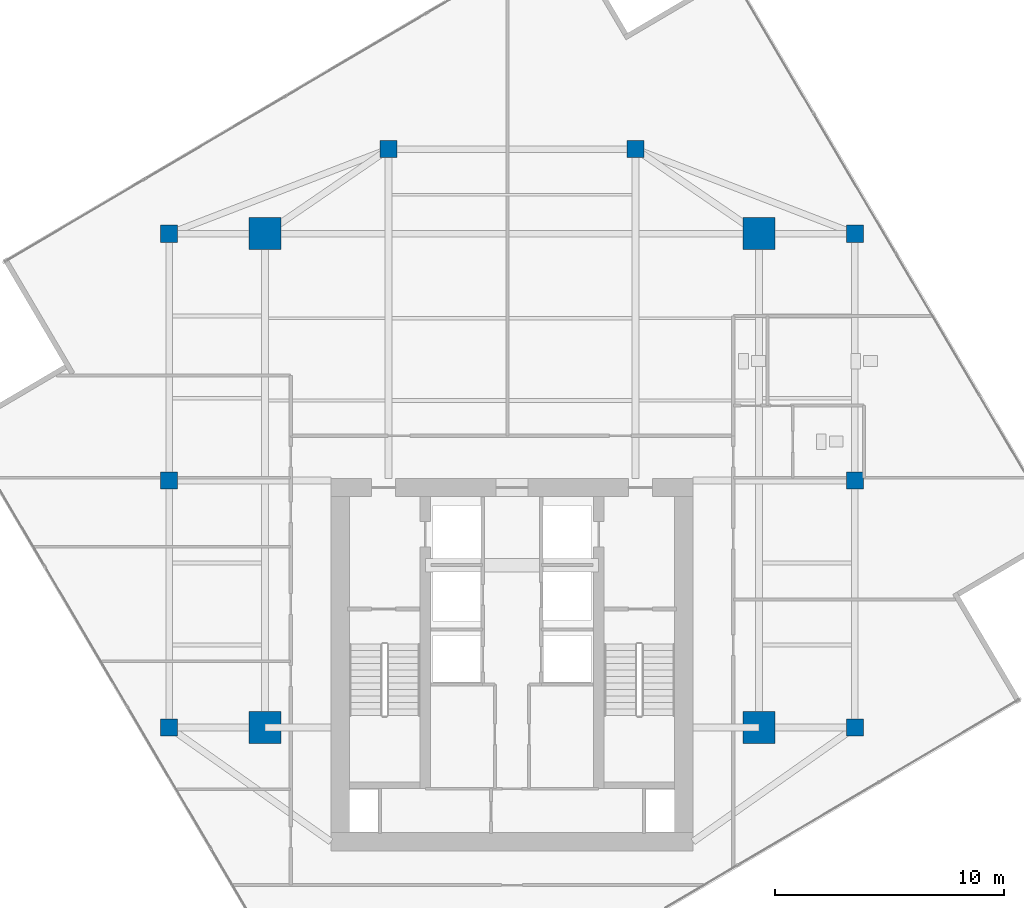
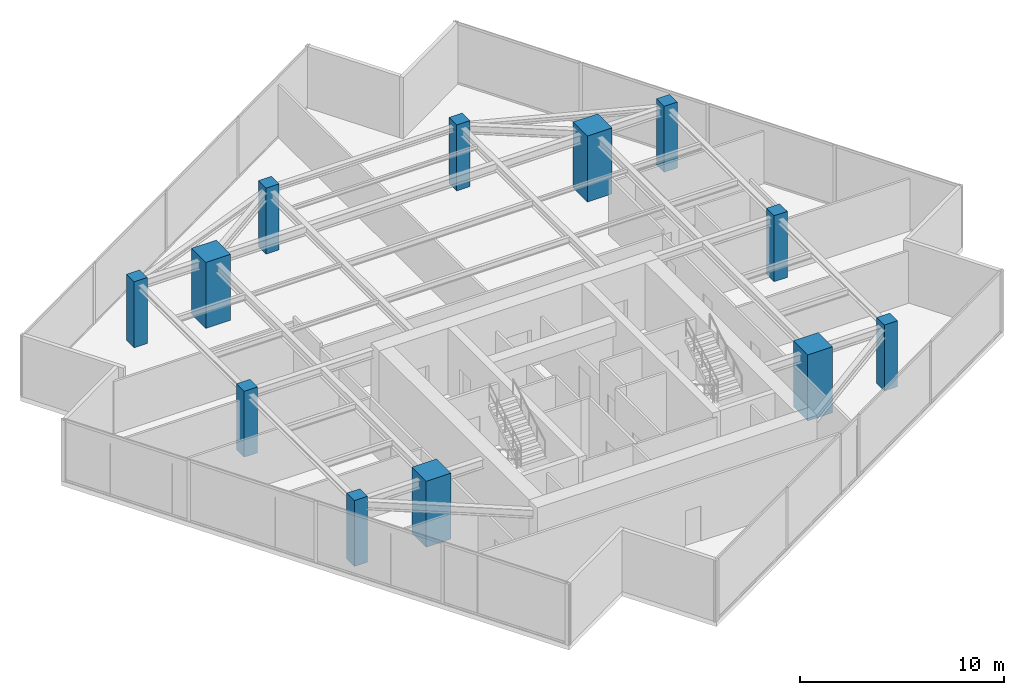
# One storey, part 1 of 20: 12 columns.
"""IFC4 building model written with IfcOpenShell, lengths in metres."""

from ifc_helpers import new_model, si_unit, direction, frame, origin, origin_2d, place, context, subcontext, project, spatial, rectangle, extrude, source, transform, mapped, material, material_profile, profile_set, type_object, type_shapes, element, save


model = new_model("IFC4")

# Units and contexts
model_context = context("Model", 3, precision=1e-05, world=origin(), true_north=direction((0.0, 1.0)))
body_context = subcontext(model_context, "Body", "Model", "MODEL_VIEW")
ifc_project = project(units=[si_unit("LENGTHUNIT", "METRE"), si_unit("AREAUNIT", "SQUARE_METRE"), si_unit("VOLUMEUNIT", "CUBIC_METRE"), si_unit("PLANEANGLEUNIT", "RADIAN"), si_unit("MASSUNIT", "GRAM", prefix="KILO")], contexts=[model_context])

# Site, building, storey
site_placement = place(None, origin())
site = spatial("IfcSite", under=ifc_project, at=site_placement, CompositionType="ELEMENT")
building_placement = place(site_placement, origin())
building = spatial("IfcBuilding", under=site, at=building_placement, Name="Krantzveldt Concourse Tower", CompositionType="ELEMENT")
storey_placement = place(building_placement, frame((0.0, 0.0, 295.050048828125)))
storey = spatial("IfcBuildingStorey", under=building, at=storey_placement, Name="L72", CompositionType="ELEMENT", Elevation=295.050048828125)

# Columns
ifc_material = material(Name="Concrete C50/60", Category="concrete")
ifc_material_profile_1 = material_profile(ifc_material, rectangle(XDim=1.39990234375, YDim=1.39990234375, at=origin_2d()), Name="Concrete C50/60", Category="concrete")
ifc_profile_set_1 = profile_set([ifc_material_profile_1], Name="Concrete C50/60 - RC 1400x1400")
column_type_1 = type_object("IfcColumnType", Name="COL-MC-1400", PredefinedType="USERDEFINED", material=ifc_profile_set_1)
shared_shape_1 = source(origin(), body_context, "Body", "SweptSolid", [
    extrude(rectangle(XDim=1.39990234375, YDim=1.39990234375, at=origin_2d()), origin(), (0.0, 0.0, 1.0), 3.949951171875),
])
type_shapes(column_type_1, [shared_shape_1])
for number, where, z_axis, x_axis, name in (
    (1, (25.199951171875, 15.89990234375, 0.0), (0.0, 0.0, 1.0), (1.0, 0.0, 0.0), "MC-SW-L72"),
    (2, (46.800048828125, 15.89990234375, 0.0), (0.0, 0.0, 1.0), (1.0, 0.0, 0.0), "MC-SE-L72"),
    (3, (46.800048828125, 37.5, 0.0), (0.0, 0.0, 1.0), (1.0, 0.0, 0.0), "MC-NE-L72"),
    (4, (25.199951171875, 37.5, 0.0), (0.0, 0.0, 1.0), (1.0, 0.0, 0.0), "MC-NW-L72"),
):
    element("IfcColumn", number, at=place(storey_placement, frame(where, z_axis=z_axis, x_axis=x_axis)), inside=storey, type_object=column_type_1, Name=name, ObjectType="MEGA COLUMN", PredefinedType="USERDEFINED", context=body_context, shape_type="MappedRepresentation", body=[
        mapped(shared_shape_1, transform((0.0, 0.0, 0.0), x_axis=(1.0, 0.0, 0.0), y_axis=(0.0, 1.0, 0.0), z_axis=(0.0, 0.0, 1.0), scale=1.0)),
    ])
ifc_material_profile_2 = material_profile(ifc_material, rectangle(XDim=0.75, YDim=0.75, at=origin_2d()), Name="Concrete C50/60", Category="concrete")
ifc_profile_set_2 = profile_set([ifc_material_profile_2], Name="Concrete C50/60 - RC 750x750")
column_type_2 = type_object("IfcColumnType", Name="COL-C-Z5", PredefinedType="COLUMN", material=ifc_profile_set_2)
shared_shape_2 = source(origin(), body_context, "Body", "SweptSolid", [
    extrude(rectangle(XDim=0.75, YDim=0.75, at=origin_2d()), origin(), (0.0, 0.0, 1.0), 3.949951171875),
])
type_shapes(column_type_2, [shared_shape_2])
for number, where, z_axis, x_axis, name in (
    (5, (21.0, 15.89990234375, 0.0), (0.0, 0.0, 1.0), (1.0, 0.0, 0.0), "PC-R01-L72"),
    (6, (21.0, 26.699951171875, 0.0), (0.0, 0.0, 1.0), (1.0, 0.0, 0.0), "PC-R02-L72"),
    (7, (21.0, 37.5, 0.0), (0.0, 0.0, 1.0), (1.0, 0.0, 0.0), "PC-R03-L72"),
    (8, (30.60009765625, 41.199951171875, 0.0), (0.0, 0.0, 1.0), (1.0, 0.0, 0.0), "PC-R04-L72"),
    (9, (41.39990234375, 41.199951171875, 0.0), (0.0, 0.0, 1.0), (1.0, 0.0, 0.0), "PC-R05-L72"),
    (10, (51.0, 37.5, 0.0), (0.0, 0.0, 1.0), (1.0, 0.0, 0.0), "PC-R06-L72"),
    (11, (51.0, 26.699951171875, 0.0), (0.0, 0.0, 1.0), (1.0, 0.0, 0.0), "PC-R07-L72"),
    (12, (51.0, 15.89990234375, 0.0), (0.0, 0.0, 1.0), (1.0, 0.0, 0.0), "PC-R08-L72"),
):
    element("IfcColumn", number, at=place(storey_placement, frame(where, z_axis=z_axis, x_axis=x_axis)), inside=storey, type_object=column_type_2, Name=name, PredefinedType="COLUMN", context=body_context, shape_type="MappedRepresentation", body=[
        mapped(shared_shape_2, transform((0.0, 0.0, 0.0), x_axis=(1.0, 0.0, 0.0), y_axis=(0.0, 1.0, 0.0), z_axis=(0.0, 0.0, 1.0), scale=1.0)),
    ])

save(model, "model.ifc")
